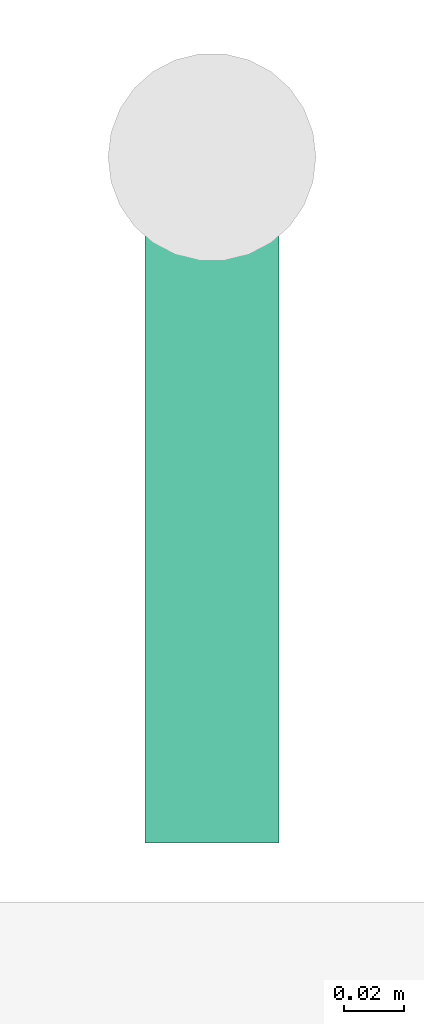
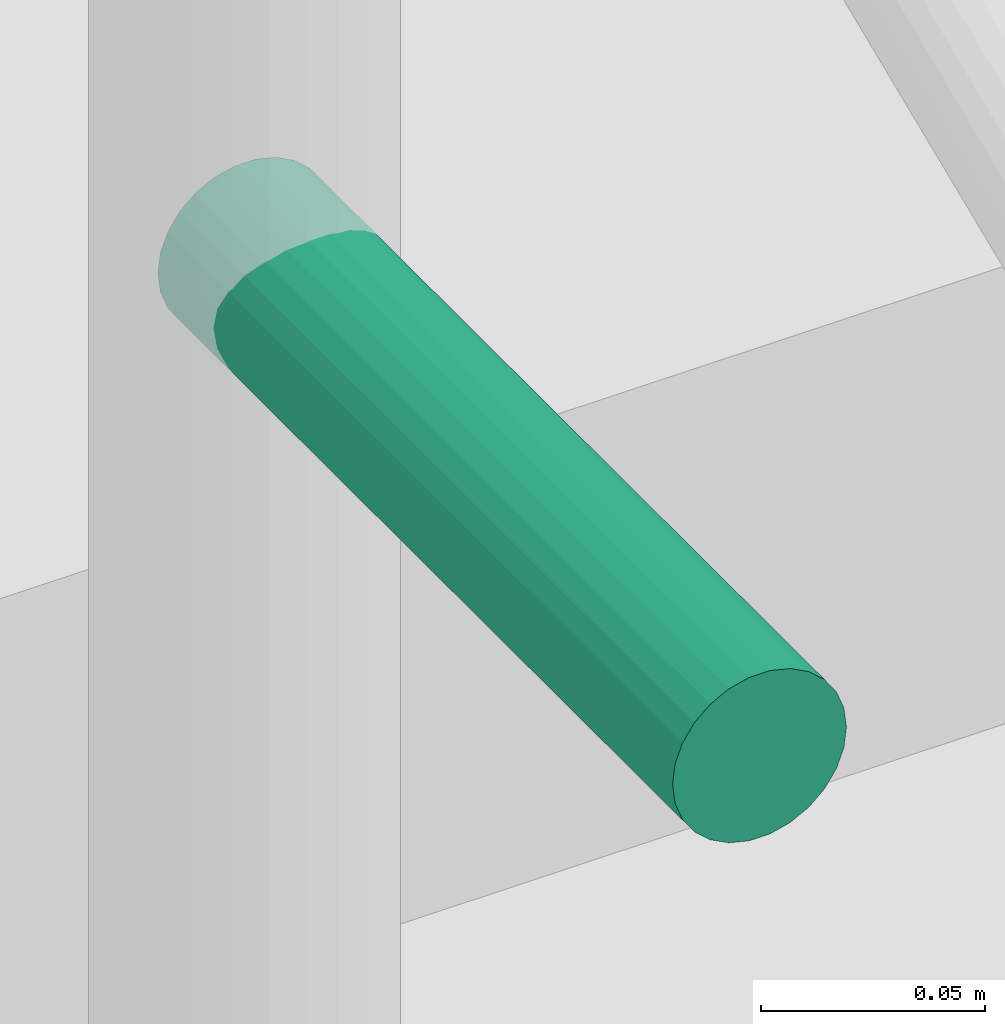
# One storey, part 31 of 31: 1 pipe fitting.
"""IFC4 building model written with IfcOpenShell, lengths in metres."""

from ifc_helpers import new_model, si_unit, direction, frame, origin, origin_2d, place, context, subcontext, project, spatial, circle, extrude, element, save


model = new_model("IFC4")

# Units and contexts
model_context = context("Model", 3, precision=1e-05, world=origin(), true_north=direction((0.0, 1.0)))
body_context = subcontext(model_context, "Body", "Model", "MODEL_VIEW")
ifc_project = project(units=[si_unit("LENGTHUNIT", "METRE"), si_unit("AREAUNIT", "SQUARE_METRE"), si_unit("VOLUMEUNIT", "CUBIC_METRE"), si_unit("PLANEANGLEUNIT", "RADIAN"), si_unit("MASSUNIT", "GRAM", prefix="KILO")], contexts=[model_context])

# Site, building, storey
site_placement = place(None, origin())
site = spatial("IfcSite", under=ifc_project, at=site_placement, CompositionType="ELEMENT")
building_placement = place(site_placement, origin())
building = spatial("IfcBuilding", under=site, at=building_placement, Name="Nzadi Deep Aquarium and Research Tower", CompositionType="ELEMENT")
storey_placement = place(building_placement, frame((0.0, 0.0, 21.699951171875)))
storey = spatial("IfcBuildingStorey", under=building, at=storey_placement, Name="L03", CompositionType="ELEMENT", Elevation=21.699951171875)

# Pipe fitting
pipe_fitting_placement = place(storey_placement, frame((55.300048828125, 116.360107421875, 1.10009765625), z_axis=(0.0, -1.0, 0.0), x_axis=(1.0, 0.0, 0.0)))
element("IfcPipeFitting", 1, at=pipe_fitting_placement, inside=storey, Name="Dry riser outlet ST-Z3-E L03", PredefinedType="EXIT", context=body_context, shape_type="SweptSolid", body=[
    extrude(circle(Radius=0.0224609375, at=origin_2d()), origin(), (0.0, 0.0, 1.0), 0.230224609375),
])

save(model, "model.ifc")
